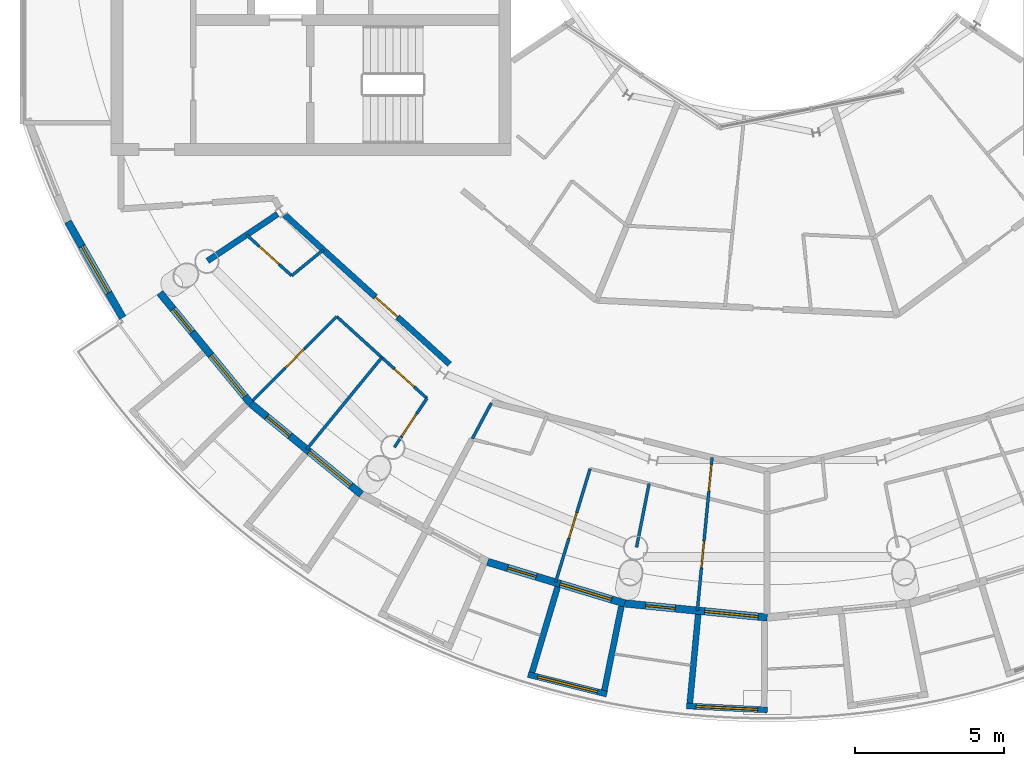
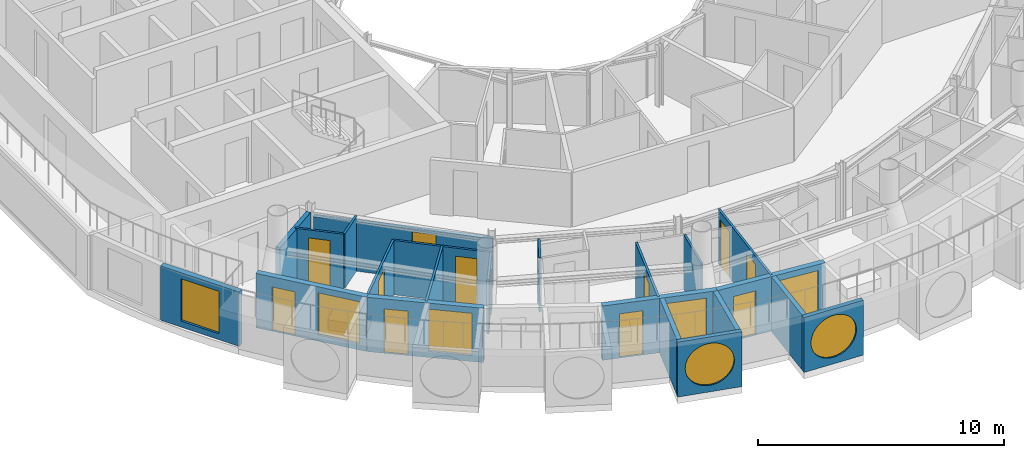
# One storey, part 12 of 25: 22 walls, 12 doors, 7 windows, 19 openings.
"""IFC4 building model written with IfcOpenShell, lengths in metres."""

from ifc_helpers import new_model, si_unit, direction, frame, frame_2d, origin, place, context, subcontext, project, spatial, rectangle, circle, extrude, material, layer, layer_set, type_object, element, fill, save


model = new_model("IFC4")

# Units and contexts
model_context = context("Model", 3, precision=1e-05, world=origin(), true_north=direction((0.0, 1.0)))
body_context = subcontext(model_context, "Body", "Model", "MODEL_VIEW")
ifc_project = project(units=[si_unit("LENGTHUNIT", "METRE"), si_unit("AREAUNIT", "SQUARE_METRE"), si_unit("VOLUMEUNIT", "CUBIC_METRE"), si_unit("PLANEANGLEUNIT", "RADIAN"), si_unit("MASSUNIT", "GRAM", prefix="KILO")], contexts=[model_context])

# Site, building, storey
site_placement = place(None, origin())
site = spatial("IfcSite", under=ifc_project, at=site_placement, CompositionType="ELEMENT")
building_placement = place(site_placement, origin())
building = spatial("IfcBuilding", under=site, at=building_placement, Name="Maasbend Ring Residences", CompositionType="ELEMENT")
storey_placement = place(building_placement, frame((0.0, 0.0, 246.25)))
storey = spatial("IfcBuildingStorey", under=building, at=storey_placement, Name="L71", CompositionType="ELEMENT", Elevation=246.25)

# Wall, opening, door
ifc_material_1 = material(Name="Concrete C30/37", Category="concrete")
ifc_layer_1 = layer(ifc_material_1, 0.199951171875)
ifc_layer_set_1 = layer_set([ifc_layer_1], Name="Concrete C30/37")
wall_type_1 = type_object("IfcWallType", Name="CORRIDOR WALL 200 CONCRETE", PredefinedType="PARTITIONING", material=ifc_layer_set_1)
wall_1_placement = place(storey_placement, frame((-16.181884765625, -10.992919921875, 0.0), z_axis=(0.0, 0.0, 1.0), x_axis=(0.740939653983, -0.671571611339, 0.0)))
wall_1 = element("IfcWall", 1, at=wall_1_placement, inside=storey, type_object=wall_type_1, Name="U-L71-w013", PredefinedType="PARTITIONING", context=body_context, shape_type="SweptSolid", body=[
    extrude(rectangle(XDim=7.46484375, YDim=0.199951171875, at=frame_2d((3.732421875, 0.0))), origin(), (0.0, 0.0, 1.0), 2.449951171875),
])
opening_1_placement = place(wall_1_placement, frame((4.10693359375, 0.0, 0.0)))
opening_1 = element("IfcOpeningElement", 2, at=opening_1_placement, cuts=wall_1, Name="Opening D-7132", PredefinedType="OPENING", context=body_context, shape_type="SweptSolid", body=[
    extrude(rectangle(XDim=1.0, YDim=2.300048828125, at=frame_2d((0.5, 1.14990234375))), frame((0.0, 0.10986328125, 0.0), z_axis=(0.0, -1.0, 0.0), x_axis=(1.0, 0.0, 0.0)), (0.0, 0.0, 1.0), 0.219970703125),
])
ifc_material_2 = material(Name="Timber, fire-rated, painted", Category="wood")
door_type_1 = type_object("IfcDoorType", Name="FLAT ENTRANCE DOOR 1000 X 2300 FIRE-RATED", OperationType="NOTDEFINED", PredefinedType="DOOR", material=ifc_material_2)
door_1_placement = place(opening_1_placement, origin())
door_1 = element("IfcDoor", 3, at=door_1_placement, inside=storey, type_object=door_type_1, Name="D-7132", OperationType="SINGLE_SWING_RIGHT", OverallHeight=2.300048828125, OverallWidth=1.0, PredefinedType="DOOR", context=body_context, shape_type="SweptSolid", body=[
    extrude(rectangle(XDim=1.0, YDim=2.300048828125, at=frame_2d((0.5, 1.14990234375))), frame((0.0, 0.02490234375, 0.0), z_axis=(0.0, -1.0, 0.0), x_axis=(1.0, 0.0, 0.0)), (0.0, 0.0, 1.0), 0.050048828125),
])
fill(opening_1, door_1)

# Wall, opening, window
ifc_material_3 = material(Name="Pale anodised aluminium panel", Category="aluminium")
ifc_layer_2 = layer(ifc_material_3, 0.199951171875)
ifc_layer_set_2 = layer_set([ifc_layer_2], Name="EW-BOX")
wall_type_2 = type_object("IfcWallType", Name="EW-BOX", PredefinedType="SOLIDWALL", material=ifc_layer_set_2)
wall_2_placement = place(storey_placement, frame((-8.01708984375, -26.409912109375, -0.030029296875), z_axis=(0.0, 0.0, 1.0), x_axis=(0.96998382833, -0.243169432246, 0.0)))
wall_2 = element("IfcWall", 4, at=wall_2_placement, inside=storey, type_object=wall_type_2, Name="Box front S08", PredefinedType="SOLIDWALL", context=body_context, shape_type="SweptSolid", body=[
    extrude(rectangle(XDim=2.71875, YDim=0.199951171875, at=frame_2d((1.359375, 0.0))), origin(), (0.0, 0.0, 1.0), 2.72998046875),
])
opening_2_placement = place(wall_2_placement, frame((0.319091796875, 0.0, 0.330078125)))
opening_2 = element("IfcOpeningElement", 5, at=opening_2_placement, cuts=wall_2, Name="Opening W-RD", PredefinedType="OPENING", context=body_context, shape_type="SweptSolid", body=[
    extrude(circle(Radius=1.0400390625, at=frame_2d((1.0400390625, 1.0400390625))), frame((0.0, 0.10986328125, 0.0), z_axis=(0.0, -1.0, 0.0), x_axis=(1.0, 0.0, 0.0)), (0.0, 0.0, 1.0), 0.219970703125),
])
ifc_material_4 = material(Name="Aluminium and clear glass", Category="aluminium")
window_type_1 = type_object("IfcWindowType", Name="W-RD", PartitioningType="SINGLE_PANEL", PredefinedType="WINDOW", material=ifc_material_4)
window_1_placement = place(opening_2_placement, origin())
window_1 = element("IfcWindow", 6, at=window_1_placement, inside=storey, type_object=window_type_1, Name="Round window S08", OverallHeight=2.080078125, OverallWidth=2.080078125, PartitioningType="SINGLE_PANEL", PredefinedType="WINDOW", context=body_context, shape_type="SweptSolid", body=[
    extrude(circle(Radius=1.0400390625, at=frame_2d((1.0400390625, 1.0400390625))), frame((0.0, 0.030029296875, 0.0), z_axis=(0.0, -1.0, 0.0), x_axis=(1.0, 0.0, 0.0)), (0.0, 0.0, 1.0), 0.06005859375),
])
fill(opening_2, window_1)

# Walls
wall_3_placement = place(storey_placement, frame((-7.029052734375, -23.47705078125, -0.030029296875), z_axis=(0.0, 0.0, 1.0), x_axis=(-0.286681681931, -0.958025893828, 0.0)))
element("IfcWall", 7, at=wall_3_placement, inside=storey, type_object=wall_type_2, Name="Box side wall S08 left", PredefinedType="SOLIDWALL", context=body_context, shape_type="SweptSolid", body=[
    extrude(rectangle(XDim=2.992431640625, YDim=0.199951171875, at=frame_2d((1.49609375, 0.0))), origin(), (0.0, 0.0, 1.0), 2.72998046875),
])
wall_4_placement = place(storey_placement, frame((-4.889892578125, -24.126953125, -0.030029296875), z_axis=(0.0, 0.0, 1.0), x_axis=(-0.198852683025, -0.980029392648, 0.0)))
element("IfcWall", 8, at=wall_4_placement, inside=storey, type_object=wall_type_2, Name="Box side wall S08 right", PredefinedType="SOLIDWALL", context=body_context, shape_type="SweptSolid", body=[
    extrude(rectangle(XDim=2.881591796875, YDim=0.199951171875, at=frame_2d((1.44091796875, 0.0))), origin(), (0.0, 0.0, 1.0), 2.72998046875),
])

# Wall, opening, window
wall_5_placement = place(storey_placement, frame((-2.7099609375, -27.467041015625, -0.030029296875), z_axis=(0.0, 0.0, 1.0), x_axis=(0.998801130548, -0.048952033826, 0.0)))
wall_5 = element("IfcWall", 9, at=wall_5_placement, inside=storey, type_object=wall_type_2, Name="Box front S10", PredefinedType="SOLIDWALL", context=body_context, shape_type="SweptSolid", body=[
    extrude(rectangle(XDim=2.718017578125, YDim=0.199951171875, at=frame_2d((1.35888671875, 0.0))), origin(), (0.0, 0.0, 1.0), 2.72998046875),
])
opening_3_placement = place(wall_5_placement, frame((0.319091796875, 0.0, 0.330078125)))
opening_3 = element("IfcOpeningElement", 10, at=opening_3_placement, cuts=wall_5, Name="Opening W-RD", PredefinedType="OPENING", context=body_context, shape_type="SweptSolid", body=[
    extrude(circle(Radius=1.0400390625, at=frame_2d((1.0400390625, 1.0400390625))), frame((0.0, 0.10986328125, 0.0), z_axis=(0.0, -1.0, 0.0), x_axis=(1.0, 0.0, 0.0)), (0.0, 0.0, 1.0), 0.219970703125),
])
window_2_placement = place(opening_3_placement, origin())
window_2 = element("IfcWindow", 11, at=window_2_placement, inside=storey, type_object=window_type_1, Name="Round window S10", OverallHeight=2.080078125, OverallWidth=2.080078125, PartitioningType="SINGLE_PANEL", PredefinedType="WINDOW", context=body_context, shape_type="SweptSolid", body=[
    extrude(circle(Radius=1.0400390625, at=frame_2d((1.0400390625, 1.0400390625))), frame((0.0, 0.030029296875, 0.0), z_axis=(0.0, -1.0, 0.0), x_axis=(1.0, 0.0, 0.0)), (0.0, 0.0, 1.0), 0.06005859375),
])
fill(opening_3, window_2)

# Wall
wall_6_placement = place(storey_placement, frame((-2.31396484375, -24.39794921875, -0.030029296875), z_axis=(0.0, 0.0, 1.0), x_axis=(-0.094235386483, -0.99554994447, 0.0)))
element("IfcWall", 12, at=wall_6_placement, inside=storey, type_object=wall_type_2, Name="Box side wall S10 left", PredefinedType="SOLIDWALL", context=body_context, shape_type="SweptSolid", body=[
    extrude(rectangle(XDim=2.992431640625, YDim=0.199951171875, at=frame_2d((1.49609375, 0.0))), origin(), (0.0, 0.0, 1.0), 2.72998046875),
])

# Wall, openings, door, window
ifc_material_5 = material(Name="Aluminium clad insulated panel", Category="aluminium")
ifc_layer_3 = layer(ifc_material_5, 0.25)
ifc_layer_set_3 = layer_set([ifc_layer_3], Name="EW-GL")
wall_type_3 = type_object("IfcWallType", Name="EW-GL", PredefinedType="SOLIDWALL", material=ifc_layer_set_3)
wall_7_placement = place(storey_placement, frame((-20.37109375, -13.611083984375, 0.0), z_axis=(0.0, 0.0, 1.0), x_axis=(0.634396836208, -0.773007538262, 0.0)))
wall_7 = element("IfcWall", 13, at=wall_7_placement, inside=storey, type_object=wall_type_3, Name="External wall S01", PredefinedType="SOLIDWALL", context=body_context, shape_type="SweptSolid", body=[
    extrude(rectangle(XDim=4.80322265625, YDim=0.25, at=frame_2d((2.401611328125, 0.0))), origin(), (0.0, 0.0, 1.0), 2.699951171875),
])
opening_4_placement = place(wall_7_placement, frame((0.70361328125, 0.0, 0.0)))
opening_4 = element("IfcOpeningElement", 14, at=opening_4_placement, cuts=wall_7, Name="Opening D-LG", PredefinedType="OPENING", context=body_context, shape_type="SweptSolid", body=[
    extrude(rectangle(XDim=1.0, YDim=2.199951171875, at=frame_2d((0.5, 1.10009765625))), frame((0.0, 0.135009765625, 0.0), z_axis=(0.0, -1.0, 0.0), x_axis=(1.0, 0.0, 0.0)), (0.0, 0.0, 1.0), 0.27001953125),
])
opening_5_placement = place(wall_7_placement, frame((2.69921875, 0.0, 0.300048828125)))
opening_5 = element("IfcOpeningElement", 15, at=opening_5_placement, cuts=wall_7, Name="Opening W-BX", PredefinedType="OPENING", context=body_context, shape_type="SweptSolid", body=[
    extrude(rectangle(XDim=1.800048828125, YDim=2.10009765625, at=frame_2d((0.89990234375, 1.050048828125))), frame((0.0, 0.135009765625, 0.0), z_axis=(0.0, -1.0, 0.0), x_axis=(1.0, 0.0, 0.0)), (0.0, 0.0, 1.0), 0.27001953125),
])
ifc_material_6 = material(Name="Aluminium and clear glass", Category="aluminium")
door_type_2 = type_object("IfcDoorType", Name="D-LG", OperationType="SINGLE_SWING_LEFT", PredefinedType="DOOR", material=ifc_material_6)
door_2_placement = place(opening_4_placement, origin())
door_2 = element("IfcDoor", 16, at=door_2_placement, inside=storey, type_object=door_type_2, Name="Loggia door S01", OperationType="SINGLE_SWING_LEFT", OverallHeight=2.199951171875, OverallWidth=1.0, PredefinedType="DOOR", context=body_context, shape_type="SweptSolid", body=[
    extrude(rectangle(XDim=1.0, YDim=2.199951171875, at=frame_2d((0.5, 1.10009765625))), frame((0.0, 0.02490234375, 0.0), z_axis=(0.0, -1.0, 0.0), x_axis=(1.0, 0.0, 0.0)), (0.0, 0.0, 1.0), 0.050048828125),
])
fill(opening_4, door_2)
ifc_material_7 = material(Name="Aluminium and clear glass", Category="aluminium")
window_type_2 = type_object("IfcWindowType", Name="W-BX", PartitioningType="DOUBLE_PANEL_VERTICAL", PredefinedType="WINDOW", material=ifc_material_7)
window_3_placement = place(opening_5_placement, origin())
window_3 = element("IfcWindow", 17, at=window_3_placement, inside=storey, type_object=window_type_2, Name="Window S02 room to box", OverallHeight=2.10009765625, OverallWidth=1.800048828125, PartitioningType="SINGLE_PANEL", PredefinedType="WINDOW", context=body_context, shape_type="SweptSolid", body=[
    extrude(rectangle(XDim=1.800048828125, YDim=2.10009765625, at=frame_2d((0.89990234375, 1.050048828125))), frame((0.0, 0.030029296875, 0.0), z_axis=(0.0, -1.0, 0.0), x_axis=(1.0, 0.0, 0.0)), (0.0, 0.0, 1.0), 0.06005859375),
])
fill(opening_5, window_3)

wall_8_placement = place(storey_placement, frame((-17.323974609375, -17.323974609375, 0.0), z_axis=(0.0, 0.0, 1.0), x_axis=(0.773007538262, -0.634396836208, 0.0)))
wall_8 = element("IfcWall", 18, at=wall_8_placement, inside=storey, type_object=wall_type_3, Name="External wall S02", PredefinedType="SOLIDWALL", context=body_context, shape_type="SweptSolid", body=[
    extrude(rectangle(XDim=4.80322265625, YDim=0.25, at=frame_2d((2.401611328125, 0.0))), origin(), (0.0, 0.0, 1.0), 2.699951171875),
])
opening_6_placement = place(wall_8_placement, frame((0.70361328125, 0.0, 0.0)))
opening_6 = element("IfcOpeningElement", 19, at=opening_6_placement, cuts=wall_8, Name="Opening D-LG", PredefinedType="OPENING", context=body_context, shape_type="SweptSolid", body=[
    extrude(rectangle(XDim=1.0, YDim=2.199951171875, at=frame_2d((0.5, 1.10009765625))), frame((0.0, 0.135009765625, 0.0), z_axis=(0.0, -1.0, 0.0), x_axis=(1.0, 0.0, 0.0)), (0.0, 0.0, 1.0), 0.27001953125),
])
opening_7_placement = place(wall_8_placement, frame((2.54150390625, 0.0, 0.300048828125)))
opening_7 = element("IfcOpeningElement", 20, at=opening_7_placement, cuts=wall_8, Name="Opening W-BX", PredefinedType="OPENING", context=body_context, shape_type="SweptSolid", body=[
    extrude(rectangle(XDim=1.800048828125, YDim=2.10009765625, at=frame_2d((0.89990234375, 1.050048828125))), frame((0.0, 0.135009765625, 0.0), z_axis=(0.0, -1.0, 0.0), x_axis=(1.0, 0.0, 0.0)), (0.0, 0.0, 1.0), 0.27001953125),
])
door_3_placement = place(opening_6_placement, origin())
door_3 = element("IfcDoor", 21, at=door_3_placement, inside=storey, type_object=door_type_2, Name="Loggia door S03", OperationType="SINGLE_SWING_LEFT", OverallHeight=2.199951171875, OverallWidth=1.0, PredefinedType="DOOR", context=body_context, shape_type="SweptSolid", body=[
    extrude(rectangle(XDim=1.0, YDim=2.199951171875, at=frame_2d((0.5, 1.10009765625))), frame((0.0, 0.02490234375, 0.0), z_axis=(0.0, -1.0, 0.0), x_axis=(1.0, 0.0, 0.0)), (0.0, 0.0, 1.0), 0.050048828125),
])
fill(opening_6, door_3)
window_4_placement = place(opening_7_placement, origin())
window_4 = element("IfcWindow", 22, at=window_4_placement, inside=storey, type_object=window_type_2, Name="Window S04 room to box", OverallHeight=2.10009765625, OverallWidth=1.800048828125, PartitioningType="SINGLE_PANEL", PredefinedType="WINDOW", context=body_context, shape_type="SweptSolid", body=[
    extrude(rectangle(XDim=1.800048828125, YDim=2.10009765625, at=frame_2d((0.89990234375, 1.050048828125))), frame((0.0, 0.030029296875, 0.0), z_axis=(0.0, -1.0, 0.0), x_axis=(1.0, 0.0, 0.0)), (0.0, 0.0, 1.0), 0.06005859375),
])
fill(opening_7, window_4)

wall_9_placement = place(storey_placement, frame((-9.3759765625, -22.635009765625, 0.0), z_axis=(0.0, 0.0, 1.0), x_axis=(0.956947414517, -0.290261340605, 0.0)))
wall_9 = element("IfcWall", 23, at=wall_9_placement, inside=storey, type_object=wall_type_3, Name="External wall S04", PredefinedType="SOLIDWALL", context=body_context, shape_type="SweptSolid", body=[
    extrude(rectangle(XDim=4.802734375, YDim=0.25, at=frame_2d((2.4013671875, 0.0))), origin(), (0.0, 0.0, 1.0), 2.699951171875),
])
opening_8_placement = place(wall_9_placement, frame((0.70361328125, 0.0, 0.0)))
opening_8 = element("IfcOpeningElement", 24, at=opening_8_placement, cuts=wall_9, Name="Opening D-LG", PredefinedType="OPENING", context=body_context, shape_type="SweptSolid", body=[
    extrude(rectangle(XDim=1.0, YDim=2.199951171875, at=frame_2d((0.5, 1.10009765625))), frame((0.0, 0.135009765625, 0.0), z_axis=(0.0, -1.0, 0.0), x_axis=(1.0, 0.0, 0.0)), (0.0, 0.0, 1.0), 0.27001953125),
])
opening_9_placement = place(wall_9_placement, frame((2.54150390625, 0.0, 0.300048828125)))
opening_9 = element("IfcOpeningElement", 25, at=opening_9_placement, cuts=wall_9, Name="Opening W-BX", PredefinedType="OPENING", context=body_context, shape_type="SweptSolid", body=[
    extrude(rectangle(XDim=1.800048828125, YDim=2.10009765625, at=frame_2d((0.89990234375, 1.050048828125))), frame((0.0, 0.135009765625, 0.0), z_axis=(0.0, -1.0, 0.0), x_axis=(1.0, 0.0, 0.0)), (0.0, 0.0, 1.0), 0.27001953125),
])
door_4_placement = place(opening_8_placement, origin())
door_4 = element("IfcDoor", 26, at=door_4_placement, inside=storey, type_object=door_type_2, Name="Loggia door S07", OperationType="SINGLE_SWING_LEFT", OverallHeight=2.199951171875, OverallWidth=1.0, PredefinedType="DOOR", context=body_context, shape_type="SweptSolid", body=[
    extrude(rectangle(XDim=1.0, YDim=2.199951171875, at=frame_2d((0.5, 1.10009765625))), frame((0.0, 0.02490234375, 0.0), z_axis=(0.0, -1.0, 0.0), x_axis=(1.0, 0.0, 0.0)), (0.0, 0.0, 1.0), 0.050048828125),
])
fill(opening_8, door_4)
window_5_placement = place(opening_9_placement, origin())
window_5 = element("IfcWindow", 27, at=window_5_placement, inside=storey, type_object=window_type_2, Name="Window S08 room to box", OverallHeight=2.10009765625, OverallWidth=1.800048828125, PartitioningType="SINGLE_PANEL", PredefinedType="WINDOW", context=body_context, shape_type="SweptSolid", body=[
    extrude(rectangle(XDim=1.800048828125, YDim=2.10009765625, at=frame_2d((0.89990234375, 1.050048828125))), frame((0.0, 0.030029296875, 0.0), z_axis=(0.0, -1.0, 0.0), x_axis=(1.0, 0.0, 0.0)), (0.0, 0.0, 1.0), 0.06005859375),
])
fill(opening_9, window_5)

wall_10_placement = place(storey_placement, frame((-4.780029296875, -24.029052734375, 0.0), z_axis=(0.0, 0.0, 1.0), x_axis=(0.995181568754, -0.098049197923, 0.0)))
wall_10 = element("IfcWall", 28, at=wall_10_placement, inside=storey, type_object=wall_type_3, Name="External wall S05", PredefinedType="SOLIDWALL", context=body_context, shape_type="SweptSolid", body=[
    extrude(rectangle(XDim=4.80322265625, YDim=0.25, at=frame_2d((2.401611328125, 0.0))), origin(), (0.0, 0.0, 1.0), 2.699951171875),
])
opening_10_placement = place(wall_10_placement, frame((0.70361328125, 0.0, 0.0)))
opening_10 = element("IfcOpeningElement", 29, at=opening_10_placement, cuts=wall_10, Name="Opening D-LG", PredefinedType="OPENING", context=body_context, shape_type="SweptSolid", body=[
    extrude(rectangle(XDim=1.0, YDim=2.199951171875, at=frame_2d((0.5, 1.10009765625))), frame((0.0, 0.135009765625, 0.0), z_axis=(0.0, -1.0, 0.0), x_axis=(1.0, 0.0, 0.0)), (0.0, 0.0, 1.0), 0.27001953125),
])
opening_11_placement = place(wall_10_placement, frame((2.69921875, 0.0, 0.300048828125)))
opening_11 = element("IfcOpeningElement", 30, at=opening_11_placement, cuts=wall_10, Name="Opening W-BX", PredefinedType="OPENING", context=body_context, shape_type="SweptSolid", body=[
    extrude(rectangle(XDim=1.800048828125, YDim=2.10009765625, at=frame_2d((0.89990234375, 1.050048828125))), frame((0.0, 0.135009765625, 0.0), z_axis=(0.0, -1.0, 0.0), x_axis=(1.0, 0.0, 0.0)), (0.0, 0.0, 1.0), 0.27001953125),
])
door_5_placement = place(opening_10_placement, origin())
door_5 = element("IfcDoor", 31, at=door_5_placement, inside=storey, type_object=door_type_2, Name="Loggia door S09", OperationType="SINGLE_SWING_LEFT", OverallHeight=2.199951171875, OverallWidth=1.0, PredefinedType="DOOR", context=body_context, shape_type="SweptSolid", body=[
    extrude(rectangle(XDim=1.0, YDim=2.199951171875, at=frame_2d((0.5, 1.10009765625))), frame((0.0, 0.02490234375, 0.0), z_axis=(0.0, -1.0, 0.0), x_axis=(1.0, 0.0, 0.0)), (0.0, 0.0, 1.0), 0.050048828125),
])
fill(opening_10, door_5)
window_6_placement = place(opening_11_placement, origin())
window_6 = element("IfcWindow", 32, at=window_6_placement, inside=storey, type_object=window_type_2, Name="Window S10 room to box", OverallHeight=2.10009765625, OverallWidth=1.800048828125, PartitioningType="SINGLE_PANEL", PredefinedType="WINDOW", context=body_context, shape_type="SweptSolid", body=[
    extrude(rectangle(XDim=1.800048828125, YDim=2.10009765625, at=frame_2d((0.89990234375, 1.050048828125))), frame((0.0, 0.030029296875, 0.0), z_axis=(0.0, -1.0, 0.0), x_axis=(1.0, 0.0, 0.0)), (0.0, 0.0, 1.0), 0.06005859375),
])
fill(opening_11, window_6)

# Wall, opening, window
ifc_material_8 = material(Name="Aluminium clad insulated panel", Category="aluminium")
ifc_layer_4 = layer(ifc_material_8, 0.25)
ifc_layer_set_4 = layer_set([ifc_layer_4], Name="EW-HORN")
wall_type_4 = type_object("IfcWallType", Name="EW-HORN", PredefinedType="SOLIDWALL", material=ifc_layer_set_4)
wall_11_placement = place(storey_placement, frame((-23.451904296875, -11.22607421875, 0.0), z_axis=(0.0, 0.0, 1.0), x_axis=(0.495031435966, -0.868875064325, 0.0)))
wall_11 = element("IfcWall", 33, at=wall_11_placement, inside=storey, type_object=wall_type_4, Name="Horn wall 3.2", PredefinedType="SOLIDWALL", context=body_context, shape_type="SweptSolid", body=[
    extrude(rectangle(XDim=3.704833984375, YDim=0.25, at=frame_2d((1.8525390625, 0.0))), origin(), (0.0, 0.0, 1.0), 2.699951171875),
])
opening_12_placement = place(wall_11_placement, frame((0.952392578125, 0.0, 0.300048828125)))
opening_12 = element("IfcOpeningElement", 34, at=opening_12_placement, cuts=wall_11, Name="Opening W-BX", PredefinedType="OPENING", context=body_context, shape_type="SweptSolid", body=[
    extrude(rectangle(XDim=1.800048828125, YDim=2.10009765625, at=frame_2d((0.89990234375, 1.050048828125))), frame((0.0, 0.135009765625, 0.0), z_axis=(0.0, -1.0, 0.0), x_axis=(1.0, 0.0, 0.0)), (0.0, 0.0, 1.0), 0.27001953125),
])
window_7_placement = place(opening_12_placement, origin())
window_7 = element("IfcWindow", 35, at=window_7_placement, inside=storey, type_object=window_type_2, Name="Horn window 3.2", OverallHeight=2.10009765625, OverallWidth=1.800048828125, PartitioningType="SINGLE_PANEL", PredefinedType="WINDOW", context=body_context, shape_type="SweptSolid", body=[
    extrude(rectangle(XDim=1.800048828125, YDim=2.10009765625, at=frame_2d((0.89990234375, 1.050048828125))), frame((0.0, 0.030029296875, 0.0), z_axis=(0.0, -1.0, 0.0), x_axis=(1.0, 0.0, 0.0)), (0.0, 0.0, 1.0), 0.06005859375),
])
fill(opening_12, window_7)

# Wall, opening, door
ifc_material_9 = material(Name="Gypsum board on steel studs", Category="steel")
ifc_layer_5 = layer(ifc_material_9, 0.10009765625)
ifc_layer_set_5 = layer_set([ifc_layer_5], Name="PARTITION 100 GYPSUM")
wall_type_5 = type_object("IfcWallType", Name="PARTITION 100 GYPSUM", PredefinedType="PARTITIONING", material=ifc_layer_set_5)
wall_12_placement = place(storey_placement, frame((-17.4609375, -11.6669921875, 0.0), z_axis=(0.0, 0.0, 1.0), x_axis=(0.740773018627, -0.671755412984, 0.0)))
wall_12 = element("IfcWall", 36, at=wall_12_placement, inside=storey, type_object=wall_type_5, Name="U-L71-w003", PredefinedType="PARTITIONING", context=body_context, shape_type="SweptSolid", body=[
    extrude(rectangle(XDim=2.041015625, YDim=0.10009765625, at=frame_2d((1.0205078125, 0.0))), origin(), (0.0, 0.0, 1.0), 2.699951171875),
])
opening_13_placement = place(wall_12_placement, frame((0.571044921875, 0.0, 0.0)))
opening_13 = element("IfcOpeningElement", 37, at=opening_13_placement, cuts=wall_12, Name="Opening D-7133", PredefinedType="OPENING", context=body_context, shape_type="SweptSolid", body=[
    extrude(rectangle(XDim=0.89990234375, YDim=2.300048828125, at=frame_2d((0.449951171875, 1.14990234375))), frame((0.0, 0.06005859375, 0.0), z_axis=(0.0, -1.0, 0.0), x_axis=(1.0, 0.0, 0.0)), (0.0, 0.0, 1.0), 0.1201171875),
])
ifc_material_10 = material(Name="Timber, painted", Category="wood")
door_type_3 = type_object("IfcDoorType", Name="INTERNAL DOOR 900 X 2300", OperationType="NOTDEFINED", PredefinedType="DOOR", material=ifc_material_10)
door_6_placement = place(opening_13_placement, origin())
door_6 = element("IfcDoor", 38, at=door_6_placement, inside=storey, type_object=door_type_3, Name="D-7133", OperationType="SINGLE_SWING_LEFT", OverallHeight=2.300048828125, OverallWidth=0.89990234375, PredefinedType="DOOR", context=body_context, shape_type="SweptSolid", body=[
    extrude(rectangle(XDim=0.89990234375, YDim=2.300048828125, at=frame_2d((0.449951171875, 1.14990234375))), frame((0.0, 0.02490234375, 0.0), z_axis=(0.0, -1.0, 0.0), x_axis=(1.0, 0.0, 0.0)), (0.0, 0.0, 1.0), 0.050048828125),
])
fill(opening_13, door_6)

wall_13_placement = place(storey_placement, frame((-14.43701171875, -14.408935546875, 0.0), z_axis=(0.0, 0.0, 1.0), x_axis=(0.740802780294, -0.671722592078, 0.0)))
wall_13 = element("IfcWall", 39, at=wall_13_placement, inside=storey, type_object=wall_type_5, Name="U-L71-w004", PredefinedType="PARTITIONING", context=body_context, shape_type="SweptSolid", body=[
    extrude(rectangle(XDim=4.08203125, YDim=0.10009765625, at=frame_2d((2.041015625, 0.0))), origin(), (0.0, 0.0, 1.0), 2.699951171875),
])
opening_14_placement = place(wall_13_placement, frame((2.612060546875, 0.0, 0.0)))
opening_14 = element("IfcOpeningElement", 40, at=opening_14_placement, cuts=wall_13, Name="Opening D-7135", PredefinedType="OPENING", context=body_context, shape_type="SweptSolid", body=[
    extrude(rectangle(XDim=0.89990234375, YDim=2.300048828125, at=frame_2d((0.449951171875, 1.14990234375))), frame((0.0, 0.06005859375, 0.0), z_axis=(0.0, -1.0, 0.0), x_axis=(1.0, 0.0, 0.0)), (0.0, 0.0, 1.0), 0.1201171875),
])
door_7_placement = place(opening_14_placement, origin())
door_7 = element("IfcDoor", 41, at=door_7_placement, inside=storey, type_object=door_type_3, Name="D-7135", OperationType="SINGLE_SWING_RIGHT", OverallHeight=2.300048828125, OverallWidth=0.89990234375, PredefinedType="DOOR", context=body_context, shape_type="SweptSolid", body=[
    extrude(rectangle(XDim=0.89990234375, YDim=2.300048828125, at=frame_2d((0.449951171875, 1.14990234375))), frame((0.0, 0.02490234375, 0.0), z_axis=(0.0, -1.0, 0.0), x_axis=(1.0, 0.0, 0.0)), (0.0, 0.0, 1.0), 0.050048828125),
])
fill(opening_14, door_7)

wall_14_placement = place(storey_placement, frame((-17.251953125, -17.218994140625, 0.0), z_axis=(0.0, 0.0, 1.0), x_axis=(0.707720109647, 0.706492920277, 0.0)))
wall_14 = element("IfcWall", 42, at=wall_14_placement, inside=storey, type_object=wall_type_5, Name="U-L71-w035", PredefinedType="PARTITIONING", context=body_context, shape_type="SweptSolid", body=[
    extrude(rectangle(XDim=3.978759765625, YDim=0.10009765625, at=frame_2d((1.9892578125, 0.0))), origin(), (0.0, 0.0, 1.0), 2.699951171875),
])
opening_15_placement = place(wall_14_placement, frame((1.5390625, 0.0, 0.0)))
opening_15 = element("IfcOpeningElement", 43, at=opening_15_placement, cuts=wall_14, Name="Opening D-7134", PredefinedType="OPENING", context=body_context, shape_type="SweptSolid", body=[
    extrude(rectangle(XDim=0.89990234375, YDim=2.300048828125, at=frame_2d((0.449951171875, 1.14990234375))), frame((0.0, 0.06005859375, 0.0), z_axis=(0.0, -1.0, 0.0), x_axis=(1.0, 0.0, 0.0)), (0.0, 0.0, 1.0), 0.1201171875),
])
door_8_placement = place(opening_15_placement, origin())
door_8 = element("IfcDoor", 44, at=door_8_placement, inside=storey, type_object=door_type_3, Name="D-7134", OperationType="SINGLE_SWING_RIGHT", OverallHeight=2.300048828125, OverallWidth=0.89990234375, PredefinedType="DOOR", context=body_context, shape_type="SweptSolid", body=[
    extrude(rectangle(XDim=0.89990234375, YDim=2.300048828125, at=frame_2d((0.449951171875, 1.14990234375))), frame((0.0, 0.02490234375, 0.0), z_axis=(0.0, -1.0, 0.0), x_axis=(1.0, 0.0, 0.0)), (0.0, 0.0, 1.0), 0.050048828125),
])
fill(opening_15, door_8)

# Walls
wall_15_placement = place(storey_placement, frame((-15.948974609375, -13.0380859375, 0.0), z_axis=(0.0, 0.0, 1.0), x_axis=(0.774099733189, 0.633063664315, 0.0)))
element("IfcWall", 45, at=wall_15_placement, inside=storey, type_object=wall_type_5, Name="U-L71-w038", PredefinedType="PARTITIONING", context=body_context, shape_type="SweptSolid", body=[
    extrude(rectangle(XDim=1.37451171875, YDim=0.10009765625, at=frame_2d((0.687255859375, 0.0))), origin(), (0.0, 0.0, 1.0), 2.699951171875),
])
wall_16_placement = place(storey_placement, frame((-15.445068359375, -18.85693359375, 0.0), z_axis=(0.0, 0.0, 1.0), x_axis=(0.633648720881, 0.77362090104, 0.0)))
element("IfcWall", 46, at=wall_16_placement, inside=storey, type_object=wall_type_5, Name="U-L71-w039", PredefinedType="PARTITIONING", context=body_context, shape_type="SweptSolid", body=[
    extrude(rectangle(XDim=3.978515625, YDim=0.10009765625, at=frame_2d((1.9892578125, 0.0))), origin(), (0.0, 0.0, 1.0), 2.699951171875),
])

# Wall, opening, door
wall_17_placement = place(storey_placement, frame((-12.5048828125, -18.79296875, 0.0), z_axis=(0.0, 0.0, 1.0), x_axis=(0.553786211634, 0.832658892827, 0.0)))
wall_17 = element("IfcWall", 47, at=wall_17_placement, inside=storey, type_object=wall_type_5, Name="U-L71-w042", PredefinedType="PARTITIONING", context=body_context, shape_type="SweptSolid", body=[
    extrude(rectangle(XDim=1.973388671875, YDim=0.10009765625, at=frame_2d((0.98681640625, 0.0))), origin(), (0.0, 0.0, 1.0), 2.699951171875),
])
opening_16_placement = place(wall_17_placement, frame((0.447998046875, 0.0, 0.0)))
opening_16 = element("IfcOpeningElement", 48, at=opening_16_placement, cuts=wall_17, Name="Opening D-7136", PredefinedType="OPENING", context=body_context, shape_type="SweptSolid", body=[
    extrude(rectangle(XDim=0.89990234375, YDim=2.300048828125, at=frame_2d((0.449951171875, 1.14990234375))), frame((0.0, 0.06005859375, 0.0), z_axis=(0.0, -1.0, 0.0), x_axis=(1.0, 0.0, 0.0)), (0.0, 0.0, 1.0), 0.1201171875),
])
door_9_placement = place(opening_16_placement, origin())
door_9 = element("IfcDoor", 49, at=door_9_placement, inside=storey, type_object=door_type_3, Name="D-7136", OperationType="SINGLE_SWING_LEFT", OverallHeight=2.300048828125, OverallWidth=0.89990234375, PredefinedType="DOOR", context=body_context, shape_type="SweptSolid", body=[
    extrude(rectangle(XDim=0.89990234375, YDim=2.300048828125, at=frame_2d((0.449951171875, 1.14990234375))), frame((0.0, 0.02490234375, 0.0), z_axis=(0.0, -1.0, 0.0), x_axis=(1.0, 0.0, 0.0)), (0.0, 0.0, 1.0), 0.050048828125),
])
fill(opening_16, door_9)

wall_18_placement = place(storey_placement, frame((-7.097900390625, -23.319091796875, 0.0), z_axis=(0.0, 0.0, 1.0), x_axis=(0.290993158272, 0.956725133901, 0.0)))
wall_18 = element("IfcWall", 50, at=wall_18_placement, inside=storey, type_object=wall_type_5, Name="U-L71-w049", PredefinedType="PARTITIONING", context=body_context, shape_type="SweptSolid", body=[
    extrude(rectangle(XDim=3.979248046875, YDim=0.10009765625, at=frame_2d((1.98974609375, 0.0))), origin(), (0.0, 0.0, 1.0), 2.699951171875),
])
opening_17_placement = place(wall_18_placement, frame((1.5400390625, 0.0, 0.0)))
opening_17 = element("IfcOpeningElement", 51, at=opening_17_placement, cuts=wall_18, Name="Opening D-7140", PredefinedType="OPENING", context=body_context, shape_type="SweptSolid", body=[
    extrude(rectangle(XDim=0.89990234375, YDim=2.300048828125, at=frame_2d((0.449951171875, 1.14990234375))), frame((0.0, 0.06005859375, 0.0), z_axis=(0.0, -1.0, 0.0), x_axis=(1.0, 0.0, 0.0)), (0.0, 0.0, 1.0), 0.1201171875),
])
door_10_placement = place(opening_17_placement, origin())
door_10 = element("IfcDoor", 52, at=door_10_placement, inside=storey, type_object=door_type_3, Name="D-7140", OperationType="SINGLE_SWING_LEFT", OverallHeight=2.300048828125, OverallWidth=0.89990234375, PredefinedType="DOOR", context=body_context, shape_type="SweptSolid", body=[
    extrude(rectangle(XDim=0.89990234375, YDim=2.300048828125, at=frame_2d((0.449951171875, 1.14990234375))), frame((0.0, 0.02490234375, 0.0), z_axis=(0.0, -1.0, 0.0), x_axis=(1.0, 0.0, 0.0)), (0.0, 0.0, 1.0), 0.050048828125),
])
fill(opening_17, door_10)

# Wall
wall_19_placement = place(storey_placement, frame((-4.382080078125, -22.14404296875, 0.0), z_axis=(0.0, 0.0, 1.0), x_axis=(0.193873019366, 0.981026631831, 0.0)))
element("IfcWall", 53, at=wall_19_placement, inside=storey, type_object=wall_type_5, Name="U-L71-w054", PredefinedType="PARTITIONING", context=body_context, shape_type="SweptSolid", body=[
    extrude(rectangle(XDim=2.17724609375, YDim=0.10009765625, at=frame_2d((1.088623046875, 0.0))), origin(), (0.0, 0.0, 1.0), 2.699951171875),
])

# Wall, openings, doors
wall_20_placement = place(storey_placement, frame((-2.343017578125, -24.261962890625, 0.0), z_axis=(0.0, 0.0, 1.0), x_axis=(0.096160533527, 0.995365838168, 0.0)))
wall_20 = element("IfcWall", 54, at=wall_20_placement, inside=storey, type_object=wall_type_5, Name="U-L71-w057", PredefinedType="PARTITIONING", context=body_context, shape_type="SweptSolid", body=[
    extrude(rectangle(XDim=5.14892578125, YDim=0.10009765625, at=frame_2d((2.574462890625, 0.0))), origin(), (0.0, 0.0, 1.0), 2.699951171875),
])
opening_18_placement = place(wall_20_placement, frame((4.011962890625, 0.0, 0.0)))
opening_18 = element("IfcOpeningElement", 55, at=opening_18_placement, cuts=wall_20, Name="Opening D-7139", PredefinedType="OPENING", context=body_context, shape_type="SweptSolid", body=[
    extrude(rectangle(XDim=0.89990234375, YDim=2.300048828125, at=frame_2d((0.449951171875, 1.14990234375))), frame((0.0, 0.06005859375, 0.0), z_axis=(0.0, -1.0, 0.0), x_axis=(1.0, 0.0, 0.0)), (0.0, 0.0, 1.0), 0.1201171875),
])
opening_19_placement = place(wall_20_placement, frame((1.43798828125, 0.0, 0.0)))
opening_19 = element("IfcOpeningElement", 56, at=opening_19_placement, cuts=wall_20, Name="Opening D-7142", PredefinedType="OPENING", context=body_context, shape_type="SweptSolid", body=[
    extrude(rectangle(XDim=0.89990234375, YDim=2.300048828125, at=frame_2d((0.449951171875, 1.14990234375))), frame((0.0, 0.06005859375, 0.0), z_axis=(0.0, -1.0, 0.0), x_axis=(1.0, 0.0, 0.0)), (0.0, 0.0, 1.0), 0.1201171875),
])
door_11_placement = place(opening_18_placement, origin())
door_11 = element("IfcDoor", 57, at=door_11_placement, inside=storey, type_object=door_type_3, Name="D-7139", OperationType="SINGLE_SWING_RIGHT", OverallHeight=2.300048828125, OverallWidth=0.89990234375, PredefinedType="DOOR", context=body_context, shape_type="SweptSolid", body=[
    extrude(rectangle(XDim=0.89990234375, YDim=2.300048828125, at=frame_2d((0.449951171875, 1.14990234375))), frame((0.0, 0.02490234375, 0.0), z_axis=(0.0, -1.0, 0.0), x_axis=(1.0, 0.0, 0.0)), (0.0, 0.0, 1.0), 0.050048828125),
])
fill(opening_18, door_11)
door_12_placement = place(opening_19_placement, origin())
door_12 = element("IfcDoor", 58, at=door_12_placement, inside=storey, type_object=door_type_3, Name="D-7142", OperationType="SINGLE_SWING_LEFT", OverallHeight=2.300048828125, OverallWidth=0.89990234375, PredefinedType="DOOR", context=body_context, shape_type="SweptSolid", body=[
    extrude(rectangle(XDim=0.89990234375, YDim=2.300048828125, at=frame_2d((0.449951171875, 1.14990234375))), frame((0.0, 0.02490234375, 0.0), z_axis=(0.0, -1.0, 0.0), x_axis=(1.0, 0.0, 0.0)), (0.0, 0.0, 1.0), 0.050048828125),
])
fill(opening_19, door_12)

# Walls
wall_21_placement = place(storey_placement, frame((-9.888916015625, -18.501953125, 0.0), z_axis=(0.0, 0.0, 1.0), x_axis=(0.471138605408, 0.882059189904, 0.0)))
element("IfcWall", 59, at=wall_21_placement, inside=storey, type_object=wall_type_5, Name="U-L71-w121", PredefinedType="PARTITIONING", context=body_context, shape_type="SweptSolid", body=[
    extrude(rectangle(XDim=1.358154296875, YDim=0.10009765625, at=frame_2d((0.67919921875, 0.0))), origin(), (0.0, 0.0, 1.0), 2.699951171875),
])
ifc_material_11 = material(Name="Concrete C30/37", Category="concrete")
ifc_layer_6 = layer(ifc_material_11, 0.199951171875)
ifc_layer_set_6 = layer_set([ifc_layer_6], Name="Concrete C30/37")
wall_type_6 = type_object("IfcWallType", Name="PARTY WALL 200 CONCRETE", PredefinedType="PARTITIONING", material=ifc_layer_set_6)
wall_22_placement = place(storey_placement, frame((-18.76904296875, -12.541015625, 0.0), z_axis=(0.0, 0.0, 1.0), x_axis=(0.83131782921, 0.555797325324, 0.0)))
element("IfcWall", 60, at=wall_22_placement, inside=storey, type_object=wall_type_6, Name="U-L71-w033", PredefinedType="PARTITIONING", context=body_context, shape_type="SweptSolid", body=[
    extrude(rectangle(XDim=2.8232421875, YDim=0.199951171875, at=frame_2d((1.41162109375, 0.0))), origin(), (0.0, 0.0, 1.0), 2.699951171875),
])

save(model, "model.ifc")
